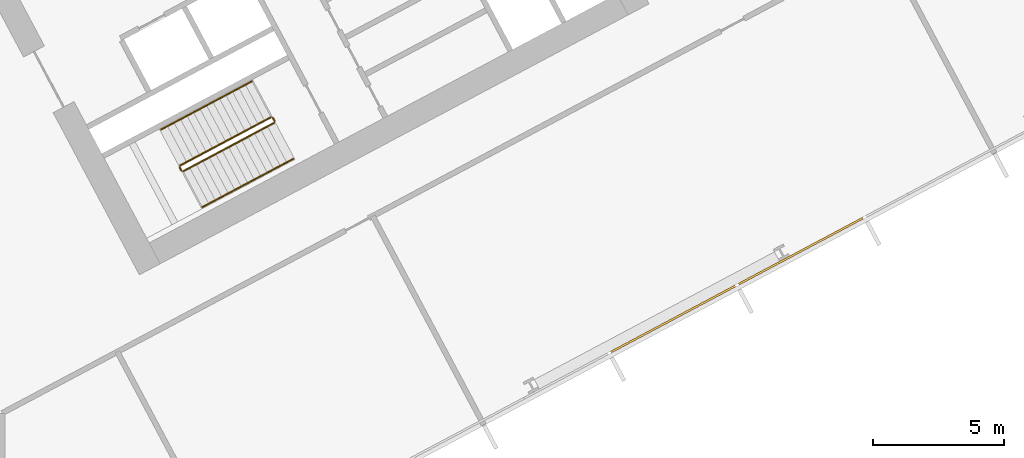
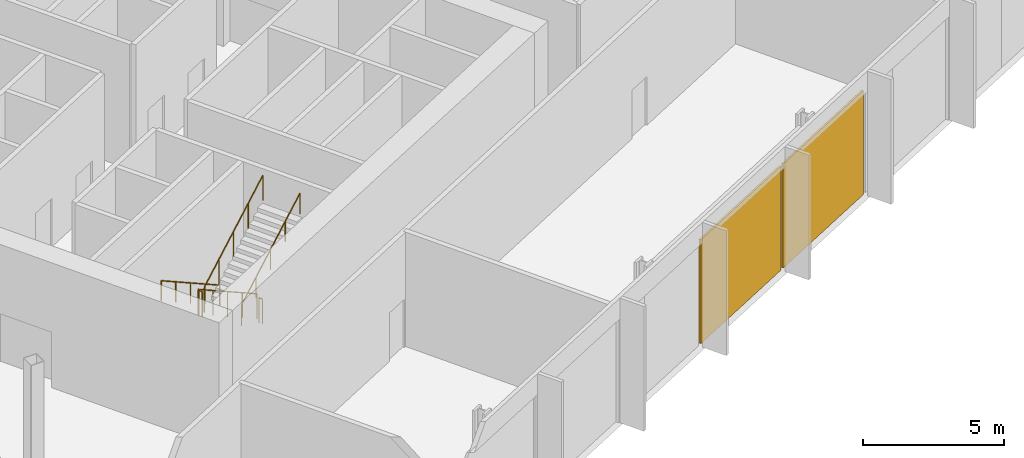
# One storey, part 27 of 32: 6 railings, 2 coverings, 1 element without a shape of its own.
"""IFC4 building model written with IfcOpenShell, lengths in metres."""

from ifc_helpers import new_model, si_unit, direction, frame, origin, origin_2d, place, context, subcontext, project, spatial, polyline, rectangle, outline, extrude, material, layer, layer_set, type_object, element, aggregate, save


model = new_model("IFC4")

# Units and contexts
model_context = context("Model", 3, precision=1e-05, world=origin(), true_north=direction((0.0, 1.0)))
body_context = subcontext(model_context, "Body", "Model", "MODEL_VIEW")
ifc_project = project(units=[si_unit("LENGTHUNIT", "METRE"), si_unit("AREAUNIT", "SQUARE_METRE"), si_unit("VOLUMEUNIT", "CUBIC_METRE"), si_unit("PLANEANGLEUNIT", "RADIAN"), si_unit("MASSUNIT", "GRAM", prefix="KILO")], contexts=[model_context])

# Site, building, storey
site_placement = place(None, origin())
site = spatial("IfcSite", under=ifc_project, at=site_placement, CompositionType="ELEMENT")
building_placement = place(site_placement, origin())
building = spatial("IfcBuilding", under=site, at=building_placement, Name="Cormorant Relay Tower", CompositionType="ELEMENT")
storey_placement = place(building_placement, frame((0.0, 0.0, 28.39990234375)))
storey = spatial("IfcBuildingStorey", under=building, at=storey_placement, Name="L05", CompositionType="ELEMENT", Elevation=28.39990234375)

# Curtain wall, coverings
ifc_material_1 = material(Name="Aluminium 6063-T6 anodised bronze", Category="aluminium")
ifc_layer_1 = layer(ifc_material_1, 0.235107421875)
ifc_layer_set_1 = layer_set([ifc_layer_1], Name="CW6 data hall curtain wall with mineral wool panels")
curtain_wall_type = type_object("IfcCurtainWallType", Name="CW6 data hall curtain wall with mineral wool panels", PredefinedType="NOTDEFINED", material=ifc_layer_set_1)
curtain_wall_placement = place(storey_placement, origin())
curtain_wall = element("IfcCurtainWall", 1, at=curtain_wall_placement, inside=storey, type_object=curtain_wall_type, Name="CW6 curtain wall 2", PredefinedType="NOTDEFINED")
ifc_material_2 = material(Name="Mineral wool cored anodised bronze aluminium cassette panel", Category="aluminium")
ifc_layer_2 = layer(ifc_material_2, 0.074951171875)
ifc_layer_set_2 = layer_set([ifc_layer_2], Name="CW6 mineral wool cassette panel 75")
covering_type = type_object("IfcCoveringType", Name="CW6 mineral wool cassette panel 75", PredefinedType="CLADDING", material=ifc_layer_set_2)
covering_1_placement = place(storey_placement, frame((39.16650390625, -3.001220703125, 0.0), z_axis=(0.0, 0.0, 1.0), x_axis=(0.882947592859, 0.469471562786, 0.0)))
covering_1 = element("IfcCovering", 2, at=covering_1_placement, type_object=covering_type, Name="CW6 panel S07", PredefinedType="CLADDING", context=body_context, shape_type="SweptSolid", body=[
    extrude(rectangle(XDim=5.36181640625, YDim=0.074951171875, at=origin_2d()), origin(), (0.0, 0.0, 1.0), 4.5),
])
covering_2_placement = place(storey_placement, frame((44.033203125, -0.41357421875, 0.0), z_axis=(0.0, 0.0, 1.0), x_axis=(0.882947592859, 0.469471562786, 0.0)))
covering_2 = element("IfcCovering", 3, at=covering_2_placement, type_object=covering_type, Name="CW6 panel S08", PredefinedType="CLADDING", context=body_context, shape_type="SweptSolid", body=[
    extrude(rectangle(XDim=5.36181640625, YDim=0.074951171875, at=origin_2d()), origin(), (0.0, 0.0, 1.0), 4.5),
])
aggregate(curtain_wall, [covering_1, covering_2])

# Railings
ifc_material_3 = material(Name="Steel ASTM A572 Grade 50 (Fy 345 MPa)", Category="steel")
railing_type_1 = type_object("IfcRailingType", Name="Stair guard 1100", PredefinedType="GUARDRAIL", material=ifc_material_3)
railing_1_placement = place(storey_placement, frame((23.83837890625, 4.6904296875, 0.18017578125)))
element("IfcRailing", 4, at=railing_1_placement, inside=storey, type_object=railing_type_1, Name="L05 B1 stair guard 1", PredefinedType="GUARDRAIL", context=body_context, shape_type="SweptSolid", body=[
    extrude(outline(polyline([(0.022216796875, 0.00927734375), (0.00927734375, 0.022216796875), (-0.00927734375, 0.022216796875), (-0.022216796875, 0.00927734375), (-0.022216796875, -0.00927734375), (-0.00927734375, -0.022216796875), (0.00927734375, -0.022216796875), (0.022216796875, -0.00927734375), (0.022216796875, 0.00927734375)])), frame((0.0, 0.0, 1.076171875), z_axis=(-0.74271721126, -0.394907409077, 0.540758062681), x_axis=(0.469469396681, -0.882948744594, 0.0)), (0.0, 0.0, 1.0), 4.66015625),
    extrude(outline(polyline([(0.019287109375, 0.008056640625), (0.008056640625, 0.019287109375), (-0.008056640625, 0.019287109375), (-0.019287109375, 0.008056640625), (-0.019287109375, -0.008056640625), (-0.008056640625, -0.019287109375), (0.008056640625, -0.019287109375), (0.019287109375, -0.008056640625), (0.019287109375, 0.008056640625)])), origin(), (0.0, 0.0, 1.0), 1.052001953125),
    extrude(outline(polyline([(0.019287109375, 0.008056640625), (0.008056640625, 0.019287109375), (-0.008056640625, 0.019287109375), (-0.019287109375, 0.008056640625), (-0.019287109375, -0.008056640625), (-0.008056640625, -0.019287109375), (0.008056640625, -0.019287109375), (0.019287109375, -0.008056640625), (0.019287109375, 0.008056640625)])), frame((-0.865234375, -0.4599609375, 0.6298828125)), (0.0, 0.0, 1.0), 1.052001953125),
    extrude(outline(polyline([(0.019287109375, 0.008056640625), (0.008056640625, 0.019287109375), (-0.008056640625, 0.019287109375), (-0.019287109375, 0.008056640625), (-0.019287109375, -0.008056640625), (-0.008056640625, -0.019287109375), (0.008056640625, -0.019287109375), (0.019287109375, -0.008056640625), (0.019287109375, 0.008056640625)])), frame((-1.73046875, -0.920166015625, 1.260009765625)), (0.0, 0.0, 1.0), 1.052001953125),
    extrude(outline(polyline([(0.019287109375, 0.008056640625), (0.008056640625, 0.019287109375), (-0.008056640625, 0.019287109375), (-0.019287109375, 0.008056640625), (-0.019287109375, -0.008056640625), (-0.008056640625, -0.019287109375), (0.008056640625, -0.019287109375), (0.019287109375, -0.008056640625), (0.019287109375, 0.008056640625)])), frame((-2.595947265625, -1.38037109375, 1.89013671875)), (0.0, 0.0, 1.0), 1.052001953125),
    extrude(outline(polyline([(0.019287109375, 0.008056640625), (0.008056640625, 0.019287109375), (-0.008056640625, 0.019287109375), (-0.019287109375, 0.008056640625), (-0.019287109375, -0.008056640625), (-0.008056640625, -0.019287109375), (0.008056640625, -0.019287109375), (0.019287109375, -0.008056640625), (0.019287109375, 0.008056640625)])), frame((-3.461181640625, -1.84033203125, 2.52001953125)), (0.0, 0.0, 1.0), 1.052001953125),
])
railing_2_placement = place(storey_placement, frame((20.3564453125, 2.782470703125, 2.7001953125)))
element("IfcRailing", 5, at=railing_2_placement, inside=storey, type_object=railing_type_1, Name="L05 B1 stair guard 2", PredefinedType="GUARDRAIL", context=body_context, shape_type="SweptSolid", body=[
    extrude(outline(polyline([(0.022216796875, 0.00927734375), (0.00927734375, 0.022216796875), (-0.00927734375, 0.022216796875), (-0.022216796875, 0.00927734375), (-0.022216796875, -0.00927734375), (-0.00927734375, -0.022216796875), (0.00927734375, -0.022216796875), (0.022216796875, -0.00927734375), (0.022216796875, 0.00927734375)])), frame((0.0, 0.0, 1.076171875), z_axis=(0.470503732759, -0.882398003998, 0.0), x_axis=(0.882398003998, 0.470503732759, 0.0)), (0.0, 0.0, 1.0), 0.14990234375),
    extrude(outline(polyline([(0.019287109375, 0.008056640625), (0.008056640625, 0.019287109375), (-0.008056640625, 0.019287109375), (-0.019287109375, 0.008056640625), (-0.019287109375, -0.008056640625), (-0.008056640625, -0.019287109375), (0.008056640625, -0.019287109375), (0.019287109375, -0.008056640625), (0.019287109375, 0.008056640625)])), origin(), (0.0, 0.0, 1.0), 1.052001953125),
    extrude(outline(polyline([(0.019287109375, 0.008056640625), (0.008056640625, 0.019287109375), (-0.008056640625, 0.019287109375), (-0.019287109375, 0.008056640625), (-0.019287109375, -0.008056640625), (-0.008056640625, -0.019287109375), (0.008056640625, -0.019287109375), (0.019287109375, -0.008056640625), (0.019287109375, 0.008056640625)])), frame((0.070556640625, -0.13232421875, 0.0)), (0.0, 0.0, 1.0), 1.052001953125),
])
railing_3_placement = place(storey_placement, frame((20.49462890625, 2.62939453125, 2.880126953125)))
element("IfcRailing", 6, at=railing_3_placement, inside=storey, type_object=railing_type_1, Name="L05 B1 stair guard 3", PredefinedType="GUARDRAIL", context=body_context, shape_type="SweptSolid", body=[
    extrude(outline(polyline([(0.022216796875, 0.00927734375), (0.00927734375, 0.022216796875), (-0.00927734375, 0.022216796875), (-0.022216796875, 0.00927734375), (-0.022216796875, -0.00927734375), (-0.00927734375, -0.022216796875), (0.00927734375, -0.022216796875), (0.022216796875, -0.00927734375), (0.022216796875, 0.00927734375)])), frame((0.0, 0.0, 1.076171875), z_axis=(0.742693720225, 0.394922775329, 0.540779104131), x_axis=(-0.469495214196, 0.882935016775, 0.0)), (0.0, 0.0, 1.0), 4.659912109375),
    extrude(outline(polyline([(0.019287109375, 0.008056640625), (0.008056640625, 0.019287109375), (-0.008056640625, 0.019287109375), (-0.019287109375, 0.008056640625), (-0.019287109375, -0.008056640625), (-0.008056640625, -0.019287109375), (0.008056640625, -0.019287109375), (0.019287109375, -0.008056640625), (0.019287109375, 0.008056640625)])), origin(), (0.0, 0.0, 1.0), 1.052001953125),
    extrude(outline(polyline([(0.019287109375, 0.008056640625), (0.008056640625, 0.019287109375), (-0.008056640625, 0.019287109375), (-0.019287109375, 0.008056640625), (-0.019287109375, -0.008056640625), (-0.008056640625, -0.019287109375), (0.008056640625, -0.019287109375), (0.019287109375, -0.008056640625), (0.019287109375, 0.008056640625)])), frame((0.865234375, 0.4599609375, 0.6298828125)), (0.0, 0.0, 1.0), 1.052001953125),
    extrude(outline(polyline([(0.019287109375, 0.008056640625), (0.008056640625, 0.019287109375), (-0.008056640625, 0.019287109375), (-0.019287109375, 0.008056640625), (-0.019287109375, -0.008056640625), (-0.008056640625, -0.019287109375), (0.008056640625, -0.019287109375), (0.019287109375, -0.008056640625), (0.019287109375, 0.008056640625)])), frame((1.73046875, 0.920166015625, 1.260009765625)), (0.0, 0.0, 1.0), 1.052001953125),
    extrude(outline(polyline([(0.019287109375, 0.008056640625), (0.008056640625, 0.019287109375), (-0.008056640625, 0.019287109375), (-0.019287109375, 0.008056640625), (-0.019287109375, -0.008056640625), (-0.008056640625, -0.019287109375), (0.008056640625, -0.019287109375), (0.019287109375, -0.008056640625), (0.019287109375, 0.008056640625)])), frame((2.595703125, 1.38037109375, 1.89013671875)), (0.0, 0.0, 1.0), 1.052001953125),
    extrude(outline(polyline([(0.019287109375, 0.008056640625), (0.008056640625, 0.019287109375), (-0.008056640625, 0.019287109375), (-0.019287109375, 0.008056640625), (-0.019287109375, -0.008056640625), (-0.008056640625, -0.019287109375), (0.008056640625, -0.019287109375), (0.019287109375, -0.008056640625), (0.019287109375, 0.008056640625)])), frame((3.4609375, 1.84033203125, 2.52001953125)), (0.0, 0.0, 1.0), 1.052001953125),
])
railing_4_placement = place(storey_placement, frame((23.906005859375, 4.669677734375, 0.0)))
element("IfcRailing", 7, at=railing_4_placement, inside=storey, type_object=railing_type_1, Name="L05 B1 stair guard 4", PredefinedType="GUARDRAIL", context=body_context, shape_type="SweptSolid", body=[
    extrude(outline(polyline([(0.022216796875, 0.00927734375), (0.00927734375, 0.022216796875), (-0.00927734375, 0.022216796875), (-0.022216796875, 0.00927734375), (-0.022216796875, -0.00927734375), (-0.00927734375, -0.022216796875), (0.00927734375, -0.022216796875), (0.022216796875, -0.00927734375), (0.022216796875, 0.00927734375)])), frame((0.0, 0.0, 1.076171875), z_axis=(0.469234640946, -0.883073525669, 0.0), x_axis=(0.883073525669, 0.469234640946, 0.0)), (0.0, 0.0, 1.0), 0.14990234375),
    extrude(outline(polyline([(0.019287109375, 0.008056640625), (0.008056640625, 0.019287109375), (-0.008056640625, 0.019287109375), (-0.019287109375, 0.008056640625), (-0.019287109375, -0.008056640625), (-0.008056640625, -0.019287109375), (0.008056640625, -0.019287109375), (0.019287109375, -0.008056640625), (0.019287109375, 0.008056640625)])), origin(), (0.0, 0.0, 1.0), 1.052001953125),
    extrude(outline(polyline([(0.019287109375, 0.008056640625), (0.008056640625, 0.019287109375), (-0.008056640625, 0.019287109375), (-0.019287109375, 0.008056640625), (-0.019287109375, -0.008056640625), (-0.008056640625, -0.019287109375), (0.008056640625, -0.019287109375), (0.019287109375, -0.008056640625), (0.019287109375, 0.008056640625)])), frame((0.0703125, -0.13232421875, 0.0)), (0.0, 0.0, 1.0), 1.052001953125),
])
ifc_material_4 = material(Name="Steel ASTM A572 Grade 50 (Fy 345 MPa)", Category="steel")
railing_type_2 = type_object("IfcRailingType", Name="Stair handrail 900", PredefinedType="HANDRAIL", material=ifc_material_4)
railing_5_placement = place(storey_placement, frame((23.110595703125, 6.05908203125, 0.18017578125)))
element("IfcRailing", 8, at=railing_5_placement, inside=storey, type_object=railing_type_2, Name="L05 B1 stair handrail 1", PredefinedType="HANDRAIL", context=body_context, shape_type="SweptSolid", body=[
    extrude(outline(polyline([(0.022216796875, 0.00927734375), (0.00927734375, 0.022216796875), (-0.00927734375, 0.022216796875), (-0.022216796875, 0.00927734375), (-0.022216796875, -0.00927734375), (-0.00927734375, -0.022216796875), (0.00927734375, -0.022216796875), (0.022216796875, -0.00927734375), (0.022216796875, 0.00927734375)])), frame((0.0, 0.0, 0.8759765625), z_axis=(-0.74271721126, -0.394907409077, 0.540758062681), x_axis=(0.469469396681, -0.882948744594, 0.0)), (0.0, 0.0, 1.0), 4.66015625),
    extrude(outline(polyline([(0.019287109375, 0.008056640625), (0.008056640625, 0.019287109375), (-0.008056640625, 0.019287109375), (-0.019287109375, 0.008056640625), (-0.019287109375, -0.008056640625), (-0.008056640625, -0.019287109375), (0.008056640625, -0.019287109375), (0.019287109375, -0.008056640625), (0.019287109375, 0.008056640625)])), origin(), (0.0, 0.0, 1.0), 0.851806640625),
    extrude(outline(polyline([(0.019287109375, 0.008056640625), (0.008056640625, 0.019287109375), (-0.008056640625, 0.019287109375), (-0.019287109375, 0.008056640625), (-0.019287109375, -0.008056640625), (-0.008056640625, -0.019287109375), (0.008056640625, -0.019287109375), (0.019287109375, -0.008056640625), (0.019287109375, 0.008056640625)])), frame((-0.865234375, -0.4599609375, 0.6298828125)), (0.0, 0.0, 1.0), 0.851806640625),
    extrude(outline(polyline([(0.019287109375, 0.008056640625), (0.008056640625, 0.019287109375), (-0.008056640625, 0.019287109375), (-0.019287109375, 0.008056640625), (-0.019287109375, -0.008056640625), (-0.008056640625, -0.019287109375), (0.008056640625, -0.019287109375), (0.019287109375, -0.008056640625), (0.019287109375, 0.008056640625)])), frame((-1.73046875, -0.920166015625, 1.260009765625)), (0.0, 0.0, 1.0), 0.851806640625),
    extrude(outline(polyline([(0.019287109375, 0.008056640625), (0.008056640625, 0.019287109375), (-0.008056640625, 0.019287109375), (-0.019287109375, 0.008056640625), (-0.019287109375, -0.008056640625), (-0.008056640625, -0.019287109375), (0.008056640625, -0.019287109375), (0.019287109375, -0.008056640625), (0.019287109375, 0.008056640625)])), frame((-2.595947265625, -1.38037109375, 1.89013671875)), (0.0, 0.0, 1.0), 0.851806640625),
    extrude(outline(polyline([(0.019287109375, 0.008056640625), (0.008056640625, 0.019287109375), (-0.008056640625, 0.019287109375), (-0.019287109375, 0.008056640625), (-0.019287109375, -0.008056640625), (-0.008056640625, -0.019287109375), (0.008056640625, -0.019287109375), (0.019287109375, -0.008056640625), (0.019287109375, 0.008056640625)])), frame((-3.461181640625, -1.84033203125, 2.52001953125)), (0.0, 0.0, 1.0), 0.851806640625),
])
railing_6_placement = place(storey_placement, frame((21.22216796875, 1.2607421875, 2.880126953125)))
element("IfcRailing", 9, at=railing_6_placement, inside=storey, type_object=railing_type_2, Name="L05 B1 stair handrail 2", PredefinedType="HANDRAIL", context=body_context, shape_type="SweptSolid", body=[
    extrude(outline(polyline([(0.022216796875, 0.00927734375), (0.00927734375, 0.022216796875), (-0.00927734375, 0.022216796875), (-0.022216796875, 0.00927734375), (-0.022216796875, -0.00927734375), (-0.00927734375, -0.022216796875), (0.00927734375, -0.022216796875), (0.022216796875, -0.00927734375), (0.022216796875, 0.00927734375)])), frame((0.0, 0.0, 0.8759765625), z_axis=(0.74271721126, 0.394907409077, 0.540758062681), x_axis=(-0.469469396681, 0.882948744594, 0.0)), (0.0, 0.0, 1.0), 4.66015625),
    extrude(outline(polyline([(0.019287109375, 0.008056640625), (0.008056640625, 0.019287109375), (-0.008056640625, 0.019287109375), (-0.019287109375, 0.008056640625), (-0.019287109375, -0.008056640625), (-0.008056640625, -0.019287109375), (0.008056640625, -0.019287109375), (0.019287109375, -0.008056640625), (0.019287109375, 0.008056640625)])), origin(), (0.0, 0.0, 1.0), 0.851806640625),
    extrude(outline(polyline([(0.019287109375, 0.008056640625), (0.008056640625, 0.019287109375), (-0.008056640625, 0.019287109375), (-0.019287109375, 0.008056640625), (-0.019287109375, -0.008056640625), (-0.008056640625, -0.019287109375), (0.008056640625, -0.019287109375), (0.019287109375, -0.008056640625), (0.019287109375, 0.008056640625)])), frame((0.865234375, 0.4599609375, 0.6298828125)), (0.0, 0.0, 1.0), 0.851806640625),
    extrude(outline(polyline([(0.019287109375, 0.008056640625), (0.008056640625, 0.019287109375), (-0.008056640625, 0.019287109375), (-0.019287109375, 0.008056640625), (-0.019287109375, -0.008056640625), (-0.008056640625, -0.019287109375), (0.008056640625, -0.019287109375), (0.019287109375, -0.008056640625), (0.019287109375, 0.008056640625)])), frame((1.73046875, 0.920166015625, 1.260009765625)), (0.0, 0.0, 1.0), 0.851806640625),
    extrude(outline(polyline([(0.019287109375, 0.008056640625), (0.008056640625, 0.019287109375), (-0.008056640625, 0.019287109375), (-0.019287109375, 0.008056640625), (-0.019287109375, -0.008056640625), (-0.008056640625, -0.019287109375), (0.008056640625, -0.019287109375), (0.019287109375, -0.008056640625), (0.019287109375, 0.008056640625)])), frame((2.595947265625, 1.38037109375, 1.89013671875)), (0.0, 0.0, 1.0), 0.851806640625),
    extrude(outline(polyline([(0.019287109375, 0.008056640625), (0.008056640625, 0.019287109375), (-0.008056640625, 0.019287109375), (-0.019287109375, 0.008056640625), (-0.019287109375, -0.008056640625), (-0.008056640625, -0.019287109375), (0.008056640625, -0.019287109375), (0.019287109375, -0.008056640625), (0.019287109375, 0.008056640625)])), frame((3.461181640625, 1.84033203125, 2.52001953125)), (0.0, 0.0, 1.0), 0.851806640625),
])

save(model, "model.ifc")
